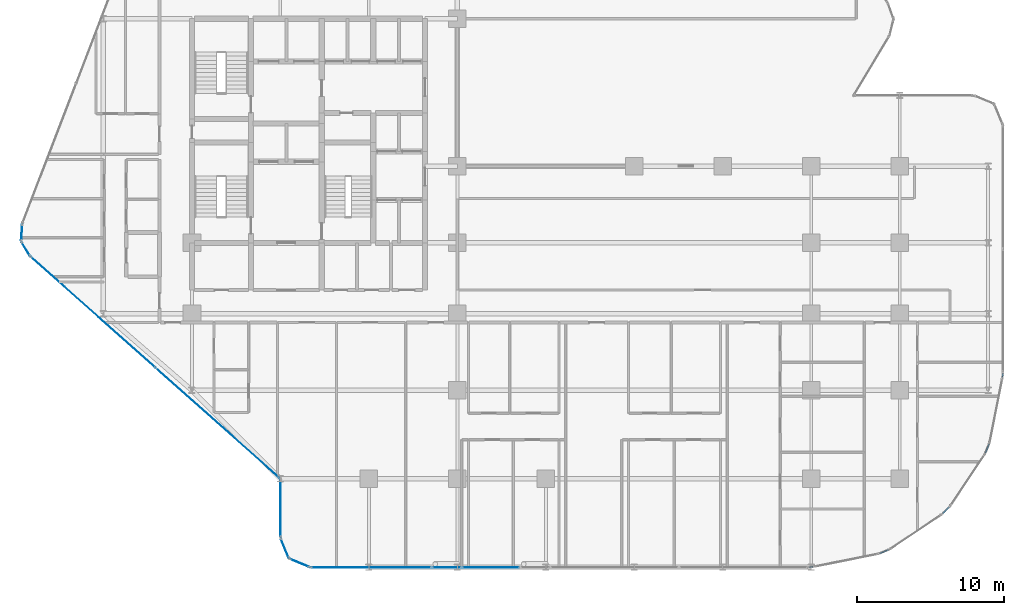
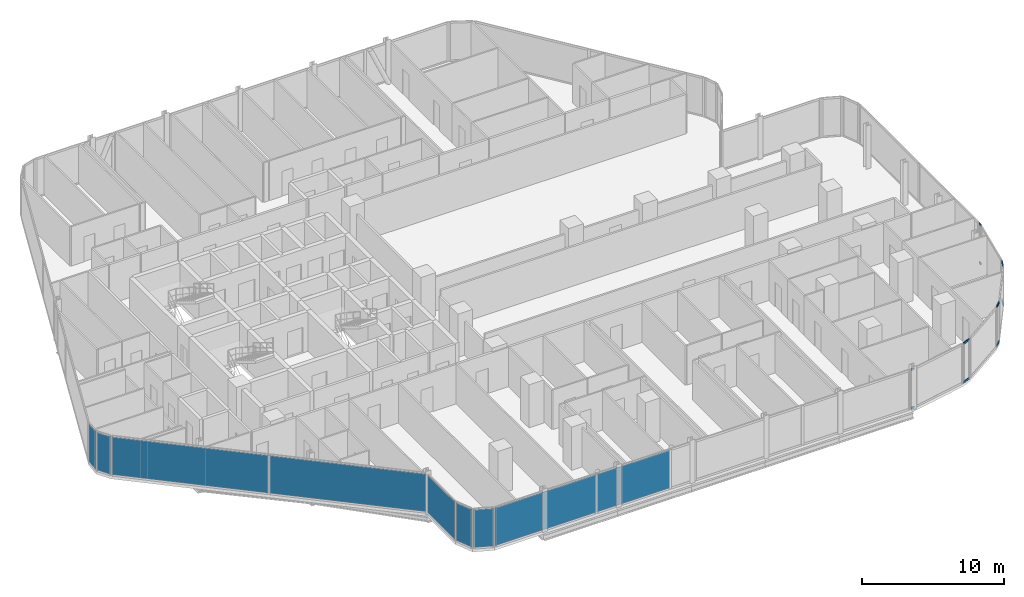
# One storey, part 20 of 33: 10 members, 10 plates, 14 elements without a shape of their own.
"""IFC4 building model written with IfcOpenShell, lengths in metres."""

from ifc_helpers import new_model, si_unit, direction, frame, origin, origin_2d, place, context, subcontext, project, spatial, rectangle, hollow_rectangle, extrude, material, layer, layer_set, material_profile, profile_set, type_object, element, aggregate, save


model = new_model("IFC4")

# Units and contexts
model_context = context("Model", 3, precision=1e-05, world=origin(), true_north=direction((0.0, 1.0)))
body_context = subcontext(model_context, "Body", "Model", "MODEL_VIEW")
ifc_project = project(units=[si_unit("LENGTHUNIT", "METRE"), si_unit("AREAUNIT", "SQUARE_METRE"), si_unit("VOLUMEUNIT", "CUBIC_METRE"), si_unit("PLANEANGLEUNIT", "RADIAN"), si_unit("MASSUNIT", "GRAM", prefix="KILO")], contexts=[model_context])

# Site, building, storey
site_placement = place(None, origin())
site = spatial("IfcSite", under=ifc_project, at=site_placement, CompositionType="ELEMENT")
building_placement = place(site_placement, origin())
building = spatial("IfcBuilding", under=site, at=building_placement, Name="Keshet Zoharim Tower", CompositionType="ELEMENT")
storey_placement = place(building_placement, frame((0.0, 0.0, 73.800048828125)))
storey = spatial("IfcBuildingStorey", under=building, at=storey_placement, Name="L17", CompositionType="ELEMENT", Elevation=73.800048828125)

# Curtain wall, members
ifc_material_1 = material(Name="Aluminium 6063-T6", Category="aluminium")
ifc_layer_1 = layer(ifc_material_1, 0.169921875)
ifc_layer_set_1 = layer_set([ifc_layer_1], Name="Aluminium 6063-T6")
curtain_wall_type_1 = type_object("IfcCurtainWallType", Name="CW-SYS-02", PredefinedType="NOTDEFINED", material=ifc_layer_set_1)
curtain_wall_1_placement = place(storey_placement, origin())
curtain_wall_1 = element("IfcCurtainWall", 1, at=curtain_wall_1_placement, inside=storey, type_object=curtain_wall_type_1, Name="L17 Unitised Curtain Wall 17", PredefinedType="NOTDEFINED")
ifc_material_profile = material_profile(ifc_material_1, hollow_rectangle(XDim=0.0849609375, YDim=0.159912109375, WallThickness=0.00439453125, at=origin_2d()), Name="TRN-85x160")
ifc_profile_set = profile_set([ifc_material_profile], Name="Aluminium 6063-T6")
member_type = type_object("IfcMemberType", Name="CWT-T16", PredefinedType="USERDEFINED", material=ifc_profile_set)
member_1_placement = place(storey_placement, frame((69.9931640625, 13.827392578125, 0.034912109375), z_axis=(-0.096912647607, -0.995292890929, 0.0), x_axis=(0.995292890929, -0.096912647607, 0.0)))
member_1 = element("IfcMember", 2, at=member_1_placement, type_object=member_type, Name="CW-02 transom 1.1", ObjectType="TRANSOM", PredefinedType="USERDEFINED", context=body_context, shape_type="SweptSolid", body=[
    extrude(hollow_rectangle(XDim=0.0849609375, YDim=0.159912109375, WallThickness=0.00439453125, at=origin_2d()), origin(), (0.0, 0.0, 1.0), 0.251953125),
])
member_2_placement = place(storey_placement, frame((69.9931640625, 13.827392578125, 3.349853515625), z_axis=(-0.096912647607, -0.995292890929, 0.0), x_axis=(0.995292890929, -0.096912647607, 0.0)))
member_2 = element("IfcMember", 3, at=member_2_placement, type_object=member_type, Name="CW-02 transom 1.2", ObjectType="TRANSOM", PredefinedType="USERDEFINED", context=body_context, shape_type="SweptSolid", body=[
    extrude(hollow_rectangle(XDim=0.0849609375, YDim=0.159912109375, WallThickness=0.00439453125, at=origin_2d()), origin(), (0.0, 0.0, 1.0), 0.251953125),
])
aggregate(curtain_wall_1, [member_1, member_2])

ifc_layer_2 = layer(ifc_material_1, 0.179931640625)
ifc_layer_set_2 = layer_set([ifc_layer_2], Name="Aluminium 6063-T6")
curtain_wall_type_2 = type_object("IfcCurtainWallType", Name="CW-SYS-01", PredefinedType="NOTDEFINED", material=ifc_layer_set_2)
curtain_wall_2_placement = place(storey_placement, origin())
curtain_wall_2 = element("IfcCurtainWall", 4, at=curtain_wall_2_placement, inside=storey, type_object=curtain_wall_type_2, Name="L17 Unitised Curtain Wall 19", PredefinedType="NOTDEFINED")
member_3_placement = place(storey_placement, frame((69.061279296875, 9.05029296875, 0.034912109375), z_axis=(-0.383126096215, -0.923696050874, 0.0), x_axis=(0.923696050874, -0.383126096215, 0.0)))
member_3 = element("IfcMember", 5, at=member_3_placement, type_object=member_type, Name="CW-01 transom 1.1", ObjectType="TRANSOM", PredefinedType="USERDEFINED", context=body_context, shape_type="SweptSolid", body=[
    extrude(hollow_rectangle(XDim=0.0849609375, YDim=0.159912109375, WallThickness=0.00439453125, at=origin_2d()), origin(), (0.0, 0.0, 1.0), 0.640380859375),
])
member_4_placement = place(storey_placement, frame((69.061279296875, 9.05029296875, 3.349853515625), z_axis=(-0.383126096215, -0.923696050874, 0.0), x_axis=(0.923696050874, -0.383126096215, 0.0)))
member_4 = element("IfcMember", 6, at=member_4_placement, type_object=member_type, Name="CW-01 transom 1.2", ObjectType="TRANSOM", PredefinedType="USERDEFINED", context=body_context, shape_type="SweptSolid", body=[
    extrude(hollow_rectangle(XDim=0.0849609375, YDim=0.159912109375, WallThickness=0.00439453125, at=origin_2d()), origin(), (0.0, 0.0, 1.0), 0.640380859375),
])
aggregate(curtain_wall_2, [member_3, member_4])

curtain_wall_3_placement = place(storey_placement, origin())
curtain_wall_3 = element("IfcCurtainWall", 7, at=curtain_wall_3_placement, inside=storey, type_object=curtain_wall_type_2, Name="L17 Unitised Curtain Wall 21", PredefinedType="NOTDEFINED")
member_5_placement = place(storey_placement, frame((66.363525390625, 4.78857421875, 0.034912109375), z_axis=(-0.707106781187, -0.707106781187, 0.0), x_axis=(0.707106781187, -0.707106781187, 0.0)))
member_5 = element("IfcMember", 8, at=member_5_placement, type_object=member_type, Name="CW-01 transom 1.1", ObjectType="TRANSOM", PredefinedType="USERDEFINED", context=body_context, shape_type="SweptSolid", body=[
    extrude(hollow_rectangle(XDim=0.0849609375, YDim=0.159912109375, WallThickness=0.00439453125, at=origin_2d()), origin(), (0.0, 0.0, 1.0), 0.639404296875),
])
member_6_placement = place(storey_placement, frame((66.363525390625, 4.78857421875, 3.349853515625), z_axis=(-0.707106781187, -0.707106781187, 0.0), x_axis=(0.707106781187, -0.707106781187, 0.0)))
member_6 = element("IfcMember", 9, at=member_6_placement, type_object=member_type, Name="CW-01 transom 1.2", ObjectType="TRANSOM", PredefinedType="USERDEFINED", context=body_context, shape_type="SweptSolid", body=[
    extrude(hollow_rectangle(XDim=0.0849609375, YDim=0.159912109375, WallThickness=0.00439453125, at=origin_2d()), origin(), (0.0, 0.0, 1.0), 0.639404296875),
])
aggregate(curtain_wall_3, [member_5, member_6])

curtain_wall_4_placement = place(storey_placement, origin())
curtain_wall_4 = element("IfcCurtainWall", 10, at=curtain_wall_4_placement, inside=storey, type_object=curtain_wall_type_2, Name="L17 Unitised Curtain Wall 23", PredefinedType="NOTDEFINED")
member_7_placement = place(storey_placement, frame((62.241455078125, 1.88427734375, 0.034912109375), z_axis=(-0.923751978938, -0.382991228891, 0.0), x_axis=(0.382991228891, -0.923751978938, 0.0)))
member_7 = element("IfcMember", 11, at=member_7_placement, type_object=member_type, Name="CW-01 transom 1.1", ObjectType="TRANSOM", PredefinedType="USERDEFINED", context=body_context, shape_type="SweptSolid", body=[
    extrude(hollow_rectangle(XDim=0.0849609375, YDim=0.159912109375, WallThickness=0.00439453125, at=origin_2d()), origin(), (0.0, 0.0, 1.0), 0.640625),
])
member_8_placement = place(storey_placement, frame((62.241455078125, 1.88427734375, 3.349853515625), z_axis=(-0.923751978938, -0.382991228891, 0.0), x_axis=(0.382991228891, -0.923751978938, 0.0)))
member_8 = element("IfcMember", 12, at=member_8_placement, type_object=member_type, Name="CW-01 transom 1.2", ObjectType="TRANSOM", PredefinedType="USERDEFINED", context=body_context, shape_type="SweptSolid", body=[
    extrude(hollow_rectangle(XDim=0.0849609375, YDim=0.159912109375, WallThickness=0.00439453125, at=origin_2d()), origin(), (0.0, 0.0, 1.0), 0.640625),
])
aggregate(curtain_wall_4, [member_7, member_8])

curtain_wall_5_placement = place(storey_placement, origin())
curtain_wall_5 = element("IfcCurtainWall", 13, at=curtain_wall_5_placement, inside=storey, type_object=curtain_wall_type_2, Name="L17 Unitised Curtain Wall 25", PredefinedType="NOTDEFINED")
member_9_placement = place(storey_placement, frame((57.123291015625, 0.731201171875, 0.034912109375), z_axis=(-0.995292890929, -0.096912647607, 0.0), x_axis=(0.096912647607, -0.995292890929, 0.0)))
member_9 = element("IfcMember", 14, at=member_9_placement, type_object=member_type, Name="CW-01 transom 1.1", ObjectType="TRANSOM", PredefinedType="USERDEFINED", context=body_context, shape_type="SweptSolid", body=[
    extrude(hollow_rectangle(XDim=0.0849609375, YDim=0.159912109375, WallThickness=0.00439453125, at=origin_2d()), origin(), (0.0, 0.0, 1.0), 0.251953125),
])
member_10_placement = place(storey_placement, frame((57.123291015625, 0.731201171875, 3.349853515625), z_axis=(-0.995292890929, -0.096912647607, 0.0), x_axis=(0.096912647607, -0.995292890929, 0.0)))
member_10 = element("IfcMember", 15, at=member_10_placement, type_object=member_type, Name="CW-01 transom 1.2", ObjectType="TRANSOM", PredefinedType="USERDEFINED", context=body_context, shape_type="SweptSolid", body=[
    extrude(hollow_rectangle(XDim=0.0849609375, YDim=0.159912109375, WallThickness=0.00439453125, at=origin_2d()), origin(), (0.0, 0.0, 1.0), 0.251953125),
])
aggregate(curtain_wall_5, [member_9, member_10])

# Curtain wall, plates
curtain_wall_6_placement = place(storey_placement, origin())
curtain_wall_6 = element("IfcCurtainWall", 16, at=curtain_wall_6_placement, inside=storey, type_object=curtain_wall_type_2, Name="L17 Unitised Curtain Wall 01", PredefinedType="NOTDEFINED")
ifc_material_2 = material(Name="Insulated Low-E Clear Glass", Category="glass")
ifc_layer_3 = layer(ifc_material_2, 0.035888671875)
ifc_layer_set_3 = layer_set([ifc_layer_3], Name="Insulated Low-E Clear Glass")
plate_type_1 = type_object("IfcPlateType", Name="CWP-01", PredefinedType="CURTAIN_PANEL", material=ifc_layer_set_3)
plate_1_placement = place(storey_placement, frame((16.74560546875, 10.481689453125, 0.06982421875), z_axis=(0.0, 0.0, 1.0), x_axis=(-0.747409318679, 0.664363838836, 0.0)))
plate_1 = element("IfcPlate", 17, at=plate_1_placement, type_object=plate_type_1, Name="CW-01 panel 1.1", PredefinedType="CURTAIN_PANEL", context=body_context, shape_type="SweptSolid", body=[
    extrude(rectangle(XDim=11.244140625, YDim=0.035888671875, at=origin_2d()), origin(), (0.0, 0.0, 1.0), 3.2451171875),
])
plate_2_placement = place(storey_placement, frame((8.289306640625, 17.998291015625, 0.06982421875), z_axis=(0.0, 0.0, 1.0), x_axis=(-0.747409318679, 0.664363838836, 0.0)))
plate_2 = element("IfcPlate", 18, at=plate_2_placement, type_object=plate_type_1, Name="CW-01 panel 2.1", PredefinedType="CURTAIN_PANEL", context=body_context, shape_type="SweptSolid", body=[
    extrude(rectangle(XDim=11.244140625, YDim=0.035888671875, at=origin_2d()), origin(), (0.0, 0.0, 1.0), 3.2451171875),
])
aggregate(curtain_wall_6, [plate_1, plate_2])

# Curtain wall, plate
curtain_wall_7_placement = place(storey_placement, origin())
curtain_wall_7 = element("IfcCurtainWall", 19, at=curtain_wall_7_placement, inside=storey, type_object=curtain_wall_type_2, Name="L17 Unitised Curtain Wall 02", PredefinedType="NOTDEFINED")
plate_3_placement = place(storey_placement, frame((3.7275390625, 22.291015625, 0.06982421875), z_axis=(0.0, 0.0, 1.0), x_axis=(-0.515604947933, 0.856826433805, 0.0)))
plate_3 = element("IfcPlate", 20, at=plate_3_placement, type_object=plate_type_1, Name="CW-01 panel 1.1", PredefinedType="CURTAIN_PANEL", context=body_context, shape_type="SweptSolid", body=[
    extrude(rectangle(XDim=1.052734375, YDim=0.035888671875, at=origin_2d()), origin(), (0.0, 0.0, 1.0), 3.2451171875),
])
aggregate(curtain_wall_7, [plate_3])

curtain_wall_8_placement = place(storey_placement, origin())
curtain_wall_8 = element("IfcCurtainWall", 21, at=curtain_wall_8_placement, inside=storey, type_object=curtain_wall_type_2, Name="L17 Unitised Curtain Wall 03", PredefinedType="NOTDEFINED")
plate_4_placement = place(storey_placement, frame((3.45849609375, 23.3974609375, 0.06982421875), z_axis=(0.0, 0.0, 1.0), x_axis=(0.064516859374, 0.997916617186, 0.0)))
plate_4 = element("IfcPlate", 22, at=plate_4_placement, type_object=plate_type_1, Name="CW-01 panel 1.1", PredefinedType="CURTAIN_PANEL", context=body_context, shape_type="SweptSolid", body=[
    extrude(rectangle(XDim=1.053466796875, YDim=0.035888671875, at=origin_2d()), origin(), (0.0, 0.0, 1.0), 3.2451171875),
])
aggregate(curtain_wall_8, [plate_4])

curtain_wall_9_placement = place(storey_placement, origin())
curtain_wall_9 = element("IfcCurtainWall", 23, at=curtain_wall_9_placement, inside=storey, type_object=curtain_wall_type_2, Name="L17 Unitised Curtain Wall 26 Part 3", PredefinedType="NOTDEFINED")
plate_5_placement = place(storey_placement, frame((35.284912109375, 0.699951171875, 0.06982421875), z_axis=(0.0, 0.0, 1.0), x_axis=(-1.0, 0.0, 0.0)))
plate_5 = element("IfcPlate", 24, at=plate_5_placement, type_object=plate_type_1, Name="CW-01 panel 1.1", PredefinedType="CURTAIN_PANEL", context=body_context, shape_type="SweptSolid", body=[
    extrude(rectangle(XDim=3.90478515625, YDim=0.035888671875, at=origin_2d()), origin(), (0.0, 0.0, 1.0), 3.2451171875),
])
aggregate(curtain_wall_9, [plate_5])

curtain_wall_10_placement = place(storey_placement, origin())
curtain_wall_10 = element("IfcCurtainWall", 25, at=curtain_wall_10_placement, inside=storey, type_object=curtain_wall_type_2, Name="L17 Unitised Curtain Wall 26 Part 5", PredefinedType="NOTDEFINED")
plate_6_placement = place(storey_placement, frame((27.15380859375, 0.699951171875, 0.06982421875), z_axis=(0.0, 0.0, 1.0), x_axis=(-1.0, 0.0, 0.0)))
plate_6 = element("IfcPlate", 26, at=plate_6_placement, type_object=plate_type_1, Name="CW-01 panel 1.1", PredefinedType="CURTAIN_PANEL", context=body_context, shape_type="SweptSolid", body=[
    extrude(rectangle(XDim=8.16748046875, YDim=0.035888671875, at=origin_2d()), origin(), (0.0, 0.0, 1.0), 3.2451171875),
])
aggregate(curtain_wall_10, [plate_6])

curtain_wall_11_placement = place(storey_placement, origin())
curtain_wall_11 = element("IfcCurtainWall", 27, at=curtain_wall_11_placement, inside=storey, type_object=curtain_wall_type_2, Name="L17 Unitised Curtain Wall 27", PredefinedType="NOTDEFINED")
plate_7_placement = place(storey_placement, frame((22.29296875, 0.992919921875, 0.06982421875), z_axis=(0.0, 0.0, 1.0), x_axis=(-0.92380975372, 0.382851849847, 0.0)))
plate_7 = element("IfcPlate", 28, at=plate_7_placement, type_object=plate_type_1, Name="CW-01 panel 1.1", PredefinedType="CURTAIN_PANEL", context=body_context, shape_type="SweptSolid", body=[
    extrude(rectangle(XDim=1.390625, YDim=0.035888671875, at=origin_2d()), origin(), (0.0, 0.0, 1.0), 3.2451171875),
])
aggregate(curtain_wall_11, [plate_7])

curtain_wall_12_placement = place(storey_placement, origin())
curtain_wall_12 = element("IfcCurtainWall", 29, at=curtain_wall_12_placement, inside=storey, type_object=curtain_wall_type_2, Name="L17 Unitised Curtain Wall 28", PredefinedType="NOTDEFINED")
plate_8_placement = place(storey_placement, frame((21.29296875, 1.992919921875, 0.06982421875), z_axis=(0.0, 0.0, 1.0), x_axis=(-0.382851849847, 0.92380975372, 0.0)))
plate_8 = element("IfcPlate", 30, at=plate_8_placement, type_object=plate_type_1, Name="CW-01 panel 1.1", PredefinedType="CURTAIN_PANEL", context=body_context, shape_type="SweptSolid", body=[
    extrude(rectangle(XDim=1.390625, YDim=0.035888671875, at=origin_2d()), origin(), (0.0, 0.0, 1.0), 3.2451171875),
])
aggregate(curtain_wall_12, [plate_8])

curtain_wall_13_placement = place(storey_placement, origin())
curtain_wall_13 = element("IfcCurtainWall", 31, at=curtain_wall_13_placement, inside=storey, type_object=curtain_wall_type_2, Name="L17 Unitised Curtain Wall 29", PredefinedType="NOTDEFINED")
plate_9_placement = place(storey_placement, frame((21.0, 4.699951171875, 0.06982421875), z_axis=(0.0, 0.0, 1.0), x_axis=(0.0, 1.0, 0.0)))
plate_9 = element("IfcPlate", 32, at=plate_9_placement, type_object=plate_type_1, Name="CW-01 panel 1.1", PredefinedType="CURTAIN_PANEL", context=body_context, shape_type="SweptSolid", body=[
    extrude(rectangle(XDim=3.860107421875, YDim=0.035888671875, at=origin_2d()), origin(), (0.0, 0.0, 1.0), 3.2451171875),
])
aggregate(curtain_wall_13, [plate_9])

curtain_wall_14_placement = place(storey_placement, origin())
curtain_wall_14 = element("IfcCurtainWall", 33, at=curtain_wall_14_placement, inside=storey, type_object=curtain_wall_type_2, Name="L17 Unitised Curtain Wall 26 Part 4", PredefinedType="NOTDEFINED")
ifc_material_3 = material(Name="Insulated Aluminium Spandrel Panel", Category="aluminium")
ifc_layer_4 = layer(ifc_material_3, 0.035888671875)
ifc_layer_set_4 = layer_set([ifc_layer_4], Name="Insulated Aluminium Spandrel Panel")
plate_type_2 = type_object("IfcPlateType", Name="CWP-04", PredefinedType="CURTAIN_PANEL", material=ifc_layer_set_4)
plate_10_placement = place(storey_placement, frame((32.284912109375, 0.699951171875, 0.06982421875), z_axis=(0.0, 0.0, 1.0), x_axis=(-1.0, 0.0, 0.0)))
plate_10 = element("IfcPlate", 34, at=plate_10_placement, type_object=plate_type_2, Name="CW-01 spandrel panel 1.1", PredefinedType="CURTAIN_PANEL", context=body_context, shape_type="SweptSolid", body=[
    extrude(rectangle(XDim=1.955078125, YDim=0.035888671875, at=origin_2d()), origin(), (0.0, 0.0, 1.0), 3.2451171875),
])
aggregate(curtain_wall_14, [plate_10])

save(model, "model.ifc")
